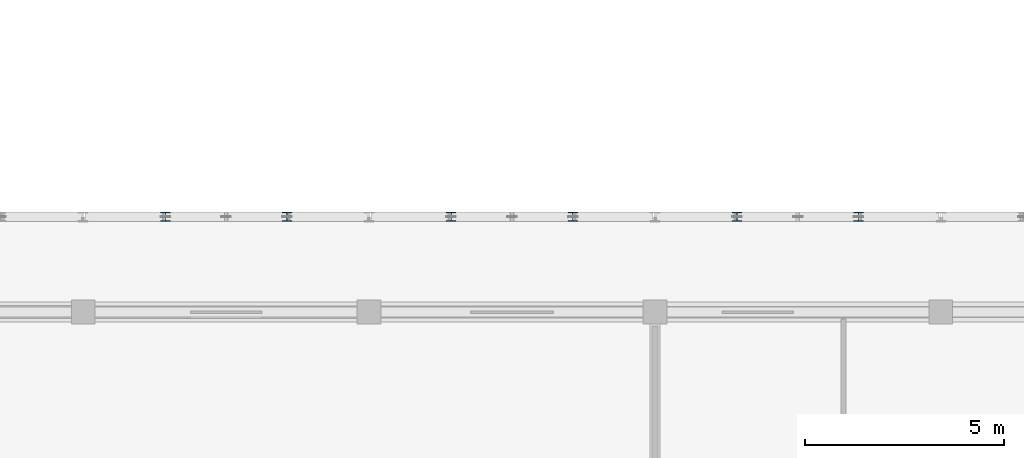
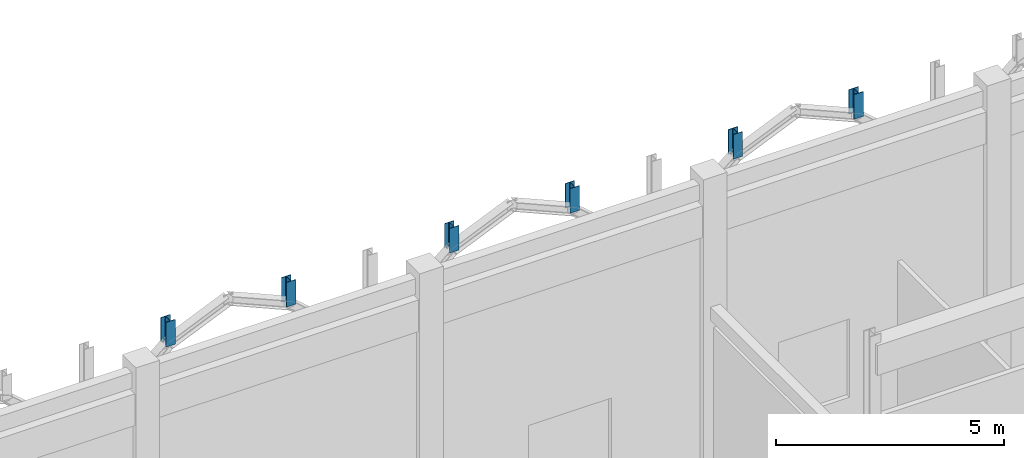
# One storey, part 48 of 138: 6 members.
"""IFC4 building model written with IfcOpenShell, lengths in metres."""

from ifc_helpers import new_model, si_unit, direction, frame, origin, origin_2d, place, context, subcontext, project, spatial, i_section, extrude, material, material_profile, profile_set, type_object, element, save


model = new_model("IFC4")

# Units and contexts
model_context = context("Model", 3, precision=1e-05, world=origin(), true_north=direction((0.0, 1.0)))
body_context = subcontext(model_context, "Body", "Model", "MODEL_VIEW")
ifc_project = project(units=[si_unit("LENGTHUNIT", "METRE"), si_unit("AREAUNIT", "SQUARE_METRE"), si_unit("VOLUMEUNIT", "CUBIC_METRE"), si_unit("PLANEANGLEUNIT", "RADIAN"), si_unit("MASSUNIT", "GRAM", prefix="KILO"), si_unit("THERMODYNAMICTEMPERATUREUNIT", "KELVIN"), si_unit("POWERUNIT", "WATT")], contexts=[model_context])

# Site, building, storey
site_placement = place(None, origin())
site = spatial("IfcSite", under=ifc_project, at=site_placement, CompositionType="ELEMENT")
building_placement = place(site_placement, origin())
building = spatial("IfcBuilding", under=site, at=building_placement, Name="Tavuni Mirador Residences", CompositionType="ELEMENT")
storey_placement = place(building_placement, origin())
storey = spatial("IfcBuildingStorey", under=building, at=storey_placement, Name="L00", CompositionType="ELEMENT", Elevation=0.0)

# Members
ifc_material = material(Name="Structural steel S355", Category="steel")
ifc_material_profile = material_profile(ifc_material, i_section(OverallWidth=0.239990234375, OverallDepth=0.22998046875, WebThickness=0.007568359375, FlangeThickness=0.011962890625, FilletRadius=0.02099609375, at=origin_2d()), Name="HEA 240", Category="steel")
ifc_profile_set = profile_set([ifc_material_profile], Name="Structural steel S355")
member_type = type_object("IfcMemberType", Name="MT-CH-HEA240", PredefinedType="CHORD", material=ifc_profile_set)
for number, where, z_axis, x_axis, name in (
    (1, (48.868896484375, 103.199951171875, 6.301513671875), (0.0, 0.0, 1.0), (1.0, 0.0, 0.0), "ARCH-HALL-N-01-V1"),
    (2, (51.93115234375, 103.199951171875, 6.301513671875), (0.0, 0.0, 1.0), (1.0, 0.0, 0.0), "ARCH-HALL-N-01-V2"),
    (3, (56.06884765625, 103.199951171875, 6.301513671875), (0.0, 0.0, 1.0), (1.0, 0.0, 0.0), "ARCH-HALL-N-02-V1"),
    (4, (59.131103515625, 103.199951171875, 6.301513671875), (0.0, 0.0, 1.0), (1.0, 0.0, 0.0), "ARCH-HALL-N-02-V2"),
    (5, (63.268798828125, 103.199951171875, 6.301513671875), (0.0, 0.0, 1.0), (1.0, 0.0, 0.0), "ARCH-HALL-N-03-V1"),
    (6, (66.331298828125, 103.199951171875, 6.301513671875), (0.0, 0.0, 1.0), (1.0, 0.0, 0.0), "ARCH-HALL-N-03-V2"),
):
    element("IfcMember", number, at=place(storey_placement, frame(where, z_axis=z_axis, x_axis=x_axis)), inside=storey, type_object=member_type, Name=name, PredefinedType="CHORD", context=body_context, shape_type="SweptSolid", body=[
        extrude(i_section(OverallWidth=0.239990234375, OverallDepth=0.22998046875, WebThickness=0.007568359375, FlangeThickness=0.011962890625, FilletRadius=0.02099609375, at=origin_2d()), origin(), (0.0, 0.0, 1.0), 0.661865234375),
    ])

save(model, "model.ifc")
